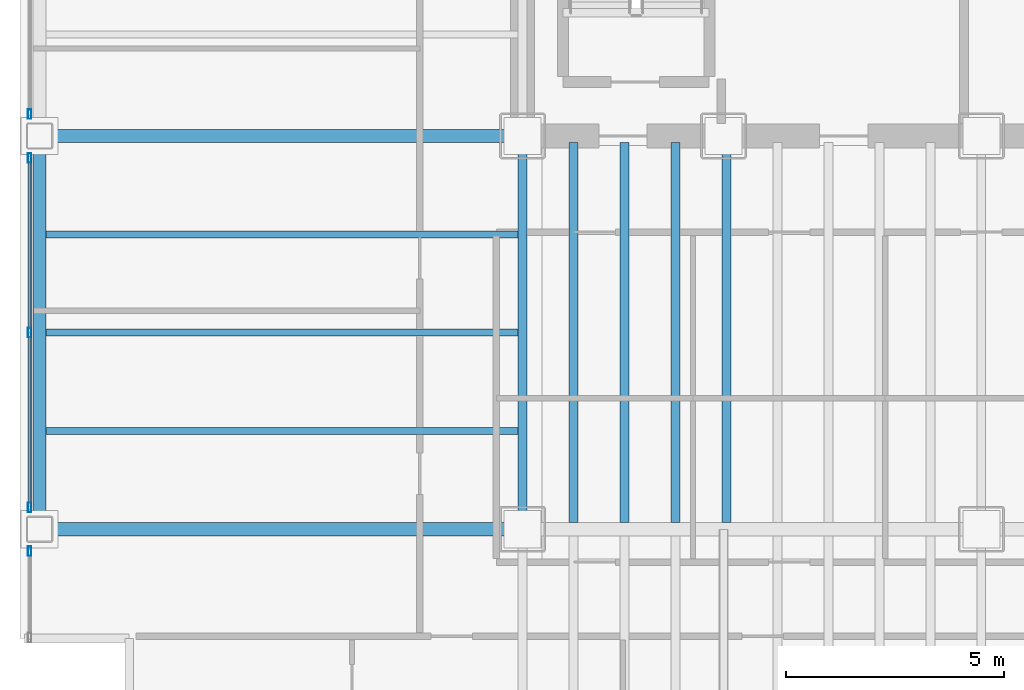
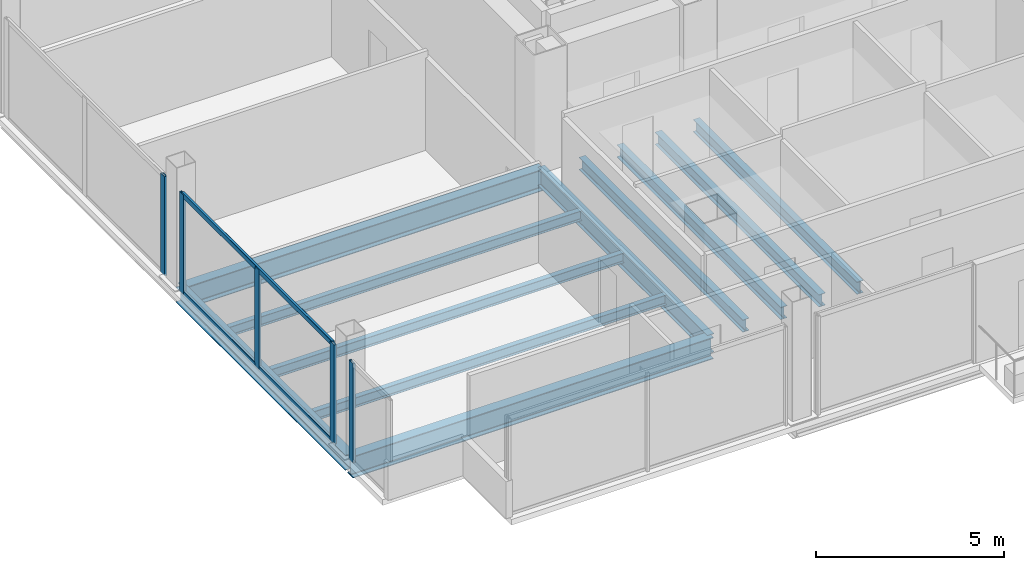
# One storey, part 5 of 30: 11 beams, 7 members, 3 elements without a shape of their own.
"""IFC4 building model written with IfcOpenShell, lengths in metres."""

from ifc_helpers import new_model, si_unit, direction, frame, origin, origin_2d, place, context, subcontext, project, spatial, hollow_rectangle, i_section, extrude, material, material_profile, profile_set, type_object, element, aggregate, save


model = new_model("IFC4")

# Units and contexts
model_context = context("Model", 3, precision=1e-05, world=origin(), true_north=direction((0.0, 1.0)))
body_context = subcontext(model_context, "Body", "Model", "MODEL_VIEW")
ifc_project = project(units=[si_unit("LENGTHUNIT", "METRE"), si_unit("AREAUNIT", "SQUARE_METRE"), si_unit("VOLUMEUNIT", "CUBIC_METRE"), si_unit("PLANEANGLEUNIT", "RADIAN"), si_unit("MASSUNIT", "GRAM", prefix="KILO")], contexts=[model_context])

# Site, building, storey
site_placement = place(None, origin())
site = spatial("IfcSite", under=ifc_project, at=site_placement, CompositionType="ELEMENT")
building_placement = place(site_placement, origin())
building = spatial("IfcBuilding", under=site, at=building_placement, Name="Noeulbin Bourse Tower", CompositionType="ELEMENT")
storey_placement = place(building_placement, frame((0.0, 0.0, 26.5)))
storey = spatial("IfcBuildingStorey", under=building, at=storey_placement, Name="L06", CompositionType="ELEMENT", Elevation=26.5)

# Beams
ifc_material_1 = material(Name="Steel S355", Category="steel")
ifc_material_profile_1 = material_profile(ifc_material_1, i_section(OverallWidth=0.199951171875, OverallDepth=0.60009765625, WebThickness=0.010986328125, FlangeThickness=0.01708984375, FilletRadius=0.02197265625, at=origin_2d()), Name="H-600x200x11x17", Category="LoadBearing")
ifc_profile_set_1 = profile_set([ifc_material_profile_1], Name="Steel S355")
beam_type_1 = type_object("IfcBeamType", Name="BM-GRD-600", PredefinedType="USERDEFINED", material=ifc_profile_set_1)
beam_1_placement = place(storey_placement, frame((13.5, 20.0, -0.47998046875), z_axis=(0.0, 1.0, 0.0), x_axis=(-1.0, 0.0, 0.0)))
element("IfcBeam", 1, at=beam_1_placement, inside=storey, type_object=beam_type_1, Name="Tower Primary Girder NS L06-1.2", ObjectType="GIRDER", PredefinedType="USERDEFINED", context=body_context, shape_type="SweptSolid", body=[
    extrude(i_section(OverallWidth=0.199951171875, OverallDepth=0.60009765625, WebThickness=0.010986328125, FlangeThickness=0.01708984375, FilletRadius=0.02197265625, at=origin_2d()), origin(), (0.0, 0.0, 1.0), 9.0),
])
ifc_material_profile_2 = material_profile(ifc_material_1, i_section(OverallWidth=0.300048828125, OverallDepth=0.699951171875, WebThickness=0.012939453125, FlangeThickness=0.02392578125, FilletRadius=0.02392578125, at=origin_2d()), Name="H-700x300x13x24", Category="LoadBearing")
ifc_profile_set_2 = profile_set([ifc_material_profile_2], Name="Steel S355")
beam_type_2 = type_object("IfcBeamType", Name="BM-GRD-700", PredefinedType="USERDEFINED", material=ifc_profile_set_2)
for number, where, z_axis, x_axis, name in (
    (2, (2.449951171875, 20.0, -0.530029296875), (1.0, 0.0, 0.0), (0.0, 1.0, 0.0), "Tower Primary Girder EW L06-1.1"),
    (3, (2.449951171875, 29.0, -0.530029296875), (1.0, 0.0, 0.0), (0.0, 1.0, 0.0), "Tower Primary Girder EW L06-2.1"),
):
    element("IfcBeam", number, at=place(storey_placement, frame(where, z_axis=z_axis, x_axis=x_axis)), inside=storey, type_object=beam_type_2, Name=name, ObjectType="GIRDER", PredefinedType="USERDEFINED", context=body_context, shape_type="SweptSolid", body=[
        extrude(i_section(OverallWidth=0.300048828125, OverallDepth=0.699951171875, WebThickness=0.012939453125, FlangeThickness=0.02392578125, FilletRadius=0.02392578125, at=origin_2d()), origin(), (0.0, 0.0, 1.0), 11.050048828125),
    ])
ifc_material_profile_3 = material_profile(ifc_material_1, i_section(OverallWidth=0.159912109375, OverallDepth=0.320068359375, WebThickness=0.006591796875, FlangeThickness=0.010009765625, FilletRadius=0.012939453125, at=origin_2d()), Name="H-320x160x6.5x10", Category="LoadBearing")
ifc_profile_set_3 = profile_set([ifc_material_profile_3], Name="Steel S355")
beam_type_3 = type_object("IfcBeamType", Name="BM-JST-320", PredefinedType="JOIST", material=ifc_profile_set_3)
for number, where, z_axis, x_axis, name in (
    (4, (2.60009765625, 22.25, -0.340087890625), (1.0, 0.0, 0.0), (0.0, 1.0, 0.0), "Wing Composite Joist L06-W69"),
    (5, (2.60009765625, 24.5, -0.340087890625), (1.0, 0.0, 0.0), (0.0, 1.0, 0.0), "Wing Composite Joist L06-W70"),
    (6, (2.60009765625, 26.75, -0.340087890625), (1.0, 0.0, 0.0), (0.0, 1.0, 0.0), "Wing Composite Joist L06-W71"),
):
    element("IfcBeam", number, at=place(storey_placement, frame(where, z_axis=z_axis, x_axis=x_axis)), inside=storey, type_object=beam_type_3, Name=name, PredefinedType="JOIST", context=body_context, shape_type="SweptSolid", body=[
        extrude(i_section(OverallWidth=0.159912109375, OverallDepth=0.320068359375, WebThickness=0.006591796875, FlangeThickness=0.010009765625, FilletRadius=0.012939453125, at=origin_2d()), origin(), (0.0, 0.0, 1.0), 10.7998046875),
    ])
ifc_material_profile_4 = material_profile(ifc_material_1, i_section(OverallWidth=0.199951171875, OverallDepth=0.39990234375, WebThickness=0.008056640625, FlangeThickness=0.012939453125, FilletRadius=0.01611328125, at=origin_2d()), Name="H-400x200x8x13", Category="LoadBearing")
ifc_profile_set_4 = profile_set([ifc_material_profile_4], Name="Steel S355")
beam_type_4 = type_object("IfcBeamType", Name="BM-SEC-400", PredefinedType="BEAM", material=ifc_profile_set_4)
for number, where, z_axis, x_axis, name in (
    (7, (14.666748046875, 20.14990234375, -0.3798828125), (0.0, 1.0, 0.0), (-1.0, 0.0, 0.0), "Tower Composite Joist L06-02"),
    (8, (15.833251953125, 20.14990234375, -0.3798828125), (0.0, 1.0, 0.0), (-1.0, 0.0, 0.0), "Tower Composite Joist L06-05"),
    (9, (17.0, 20.14990234375, -0.3798828125), (0.0, 1.0, 0.0), (-1.0, 0.0, 0.0), "Tower Composite Joist L06-08"),
    (10, (18.166748046875, 20.14990234375, -0.3798828125), (0.0, 1.0, 0.0), (-1.0, 0.0, 0.0), "Tower Composite Joist L06-10"),
):
    element("IfcBeam", number, at=place(storey_placement, frame(where, z_axis=z_axis, x_axis=x_axis)), inside=storey, type_object=beam_type_4, Name=name, PredefinedType="BEAM", context=body_context, shape_type="SweptSolid", body=[
        extrude(i_section(OverallWidth=0.199951171875, OverallDepth=0.39990234375, WebThickness=0.008056640625, FlangeThickness=0.012939453125, FilletRadius=0.01611328125, at=origin_2d()), origin(), (0.0, 0.0, 1.0), 8.7001953125),
    ])
ifc_material_profile_5 = material_profile(ifc_material_1, i_section(OverallWidth=0.300048828125, OverallDepth=0.488037109375, WebThickness=0.010986328125, FlangeThickness=0.01806640625, FilletRadius=0.02197265625, at=origin_2d()), Name="H-488x300x11x18", Category="LoadBearing")
ifc_profile_set_5 = profile_set([ifc_material_profile_5], Name="Steel S355")
beam_type_5 = type_object("IfcBeamType", Name="BM-SPN-488", PredefinedType="SPANDREL", material=ifc_profile_set_5)
beam_2_placement = place(storey_placement, frame((2.449951171875, 20.0, -0.424072265625), z_axis=(0.0, 1.0, 0.0), x_axis=(-1.0, 0.0, 0.0)))
element("IfcBeam", 11, at=beam_2_placement, inside=storey, type_object=beam_type_5, Name="West Spandrel L06-1", PredefinedType="SPANDREL", context=body_context, shape_type="SweptSolid", body=[
    extrude(i_section(OverallWidth=0.300048828125, OverallDepth=0.488037109375, WebThickness=0.010986328125, FlangeThickness=0.01806640625, FilletRadius=0.02197265625, at=origin_2d()), origin(), (0.0, 0.0, 1.0), 9.0),
])

# Curtain wall, member
ifc_material_2 = material(Name="Dark Solar-Control Double Glazing", Category="glass")
curtain_wall_type = type_object("IfcCurtainWallType", Name="CW-SYS-2", PredefinedType="NOTDEFINED", material=ifc_material_2)
curtain_wall_1_placement = place(storey_placement, origin())
curtain_wall_1 = element("IfcCurtainWall", 12, at=curtain_wall_1_placement, inside=storey, type_object=curtain_wall_type, Name="Unitised Curtain Wall CW-L06-W-S1", PredefinedType="NOTDEFINED")
ifc_material_3 = material(Name="Anodised Aluminium 6063-T6", Category="aluminium")
ifc_material_profile_6 = material_profile(ifc_material_3, hollow_rectangle(XDim=0.074951171875, YDim=0.219970703125, WallThickness=0.0048828125, InnerFilletRadius=0.00244140625, OuterFilletRadius=0.0048828125, at=origin_2d()), Name="ALU-MULL-75x220x5", Category="LoadBearing")
ifc_profile_set_6 = profile_set([ifc_material_profile_6], Name="Anodised Aluminium 6063-T6")
member_type_1 = type_object("IfcMemberType", Name="CW-SYS-2-MUL", PredefinedType="MULLION", material=ifc_profile_set_6)
member_1_placement = place(storey_placement, frame((2.219970703125, 19.5, -0.02001953125), z_axis=(0.0, 0.0, 1.0), x_axis=(1.0, 0.0, 0.0)))
member_1 = element("IfcMember", 13, at=member_1_placement, type_object=member_type_1, Name="Curtain Wall Mullion CW-L06-W-S1-M01", PredefinedType="MULLION", context=body_context, shape_type="SweptSolid", body=[
    extrude(hollow_rectangle(XDim=0.074951171875, YDim=0.219970703125, WallThickness=0.0048828125, InnerFilletRadius=0.00244140625, OuterFilletRadius=0.0048828125, at=origin_2d()), origin(), (0.0, 0.0, 1.0), 3.219970703125),
])
aggregate(curtain_wall_1, [member_1])

# Curtain wall, members
curtain_wall_2_placement = place(storey_placement, origin())
curtain_wall_2 = element("IfcCurtainWall", 14, at=curtain_wall_2_placement, inside=storey, type_object=curtain_wall_type, Name="Unitised Curtain Wall CW-L06-W-S2", PredefinedType="NOTDEFINED")
member_2_placement = place(storey_placement, frame((2.219970703125, 20.5, -0.02001953125), z_axis=(0.0, 0.0, 1.0), x_axis=(1.0, 0.0, 0.0)))
member_2 = element("IfcMember", 15, at=member_2_placement, type_object=member_type_1, Name="Curtain Wall Mullion CW-L06-W-S2-M00", PredefinedType="MULLION", context=body_context, shape_type="SweptSolid", body=[
    extrude(hollow_rectangle(XDim=0.074951171875, YDim=0.219970703125, WallThickness=0.0048828125, InnerFilletRadius=0.00244140625, OuterFilletRadius=0.0048828125, at=origin_2d()), origin(), (0.0, 0.0, 1.0), 3.219970703125),
])
member_3_placement = place(storey_placement, frame((2.219970703125, 24.5, -0.02001953125), z_axis=(0.0, 0.0, 1.0), x_axis=(1.0, 0.0, 0.0)))
member_3 = element("IfcMember", 16, at=member_3_placement, type_object=member_type_1, Name="Curtain Wall Mullion CW-L06-W-S2-M01", PredefinedType="MULLION", context=body_context, shape_type="SweptSolid", body=[
    extrude(hollow_rectangle(XDim=0.074951171875, YDim=0.219970703125, WallThickness=0.0048828125, InnerFilletRadius=0.00244140625, OuterFilletRadius=0.0048828125, at=origin_2d()), origin(), (0.0, 0.0, 1.0), 3.219970703125),
])
member_4_placement = place(storey_placement, frame((2.219970703125, 28.5, -0.02001953125), z_axis=(0.0, 0.0, 1.0), x_axis=(1.0, 0.0, 0.0)))
member_4 = element("IfcMember", 17, at=member_4_placement, type_object=member_type_1, Name="Curtain Wall Mullion CW-L06-W-S2-M02", PredefinedType="MULLION", context=body_context, shape_type="SweptSolid", body=[
    extrude(hollow_rectangle(XDim=0.074951171875, YDim=0.219970703125, WallThickness=0.0048828125, InnerFilletRadius=0.00244140625, OuterFilletRadius=0.0048828125, at=origin_2d()), origin(), (0.0, 0.0, 1.0), 3.219970703125),
])

# Curtain wall, member
curtain_wall_3_placement = place(storey_placement, origin())
curtain_wall_3 = element("IfcCurtainWall", 18, at=curtain_wall_3_placement, inside=storey, type_object=curtain_wall_type, Name="Unitised Curtain Wall CW-L06-W-S3", PredefinedType="NOTDEFINED")
member_5_placement = place(storey_placement, frame((2.219970703125, 29.5, -0.02001953125), z_axis=(0.0, 0.0, 1.0), x_axis=(1.0, 0.0, 0.0)))
member_5 = element("IfcMember", 19, at=member_5_placement, type_object=member_type_1, Name="Curtain Wall Mullion CW-L06-W-S3-M00", PredefinedType="MULLION", context=body_context, shape_type="SweptSolid", body=[
    extrude(hollow_rectangle(XDim=0.074951171875, YDim=0.219970703125, WallThickness=0.0048828125, InnerFilletRadius=0.00244140625, OuterFilletRadius=0.0048828125, at=origin_2d()), origin(), (0.0, 0.0, 1.0), 3.219970703125),
])
aggregate(curtain_wall_3, [member_5])

# Member
ifc_material_profile_7 = material_profile(ifc_material_3, hollow_rectangle(XDim=0.074951171875, YDim=0.159912109375, WallThickness=0.0048828125, InnerFilletRadius=0.00244140625, OuterFilletRadius=0.0048828125, at=origin_2d()), Name="ALU-TRAN-75x160x5", Category="LoadBearing")
ifc_profile_set_7 = profile_set([ifc_material_profile_7], Name="Anodised Aluminium 6063-T6")
member_type_2 = type_object("IfcMemberType", Name="CW-SYS-2-TRN", PredefinedType="USERDEFINED", material=ifc_profile_set_7)
member_6_placement = place(storey_placement, frame((2.219970703125, 20.510009765625, 0.010009765625), z_axis=(0.0, 1.0, 0.0), x_axis=(-1.0, 0.0, 0.0)))
member_6 = element("IfcMember", 20, at=member_6_placement, type_object=member_type_2, Name="Curtain Wall Transom CW-L06-W-S2-T00", ObjectType="TRANSOM", PredefinedType="USERDEFINED", context=body_context, shape_type="SweptSolid", body=[
    extrude(hollow_rectangle(XDim=0.074951171875, YDim=0.159912109375, WallThickness=0.0048828125, InnerFilletRadius=0.00244140625, OuterFilletRadius=0.0048828125, at=origin_2d()), origin(), (0.0, 0.0, 1.0), 7.97998046875),
])

member_7_placement = place(storey_placement, frame((2.219970703125, 20.510009765625, 3.169921875), z_axis=(0.0, 1.0, 0.0), x_axis=(-1.0, 0.0, 0.0)))
member_7 = element("IfcMember", 21, at=member_7_placement, type_object=member_type_2, Name="Curtain Wall Transom CW-L06-W-S2-T01", ObjectType="TRANSOM", PredefinedType="USERDEFINED", context=body_context, shape_type="SweptSolid", body=[
    extrude(hollow_rectangle(XDim=0.074951171875, YDim=0.159912109375, WallThickness=0.0048828125, InnerFilletRadius=0.00244140625, OuterFilletRadius=0.0048828125, at=origin_2d()), origin(), (0.0, 0.0, 1.0), 7.97998046875),
])

aggregate(curtain_wall_2, [member_2, member_3, member_4, member_6, member_7])

save(model, "model.ifc")
